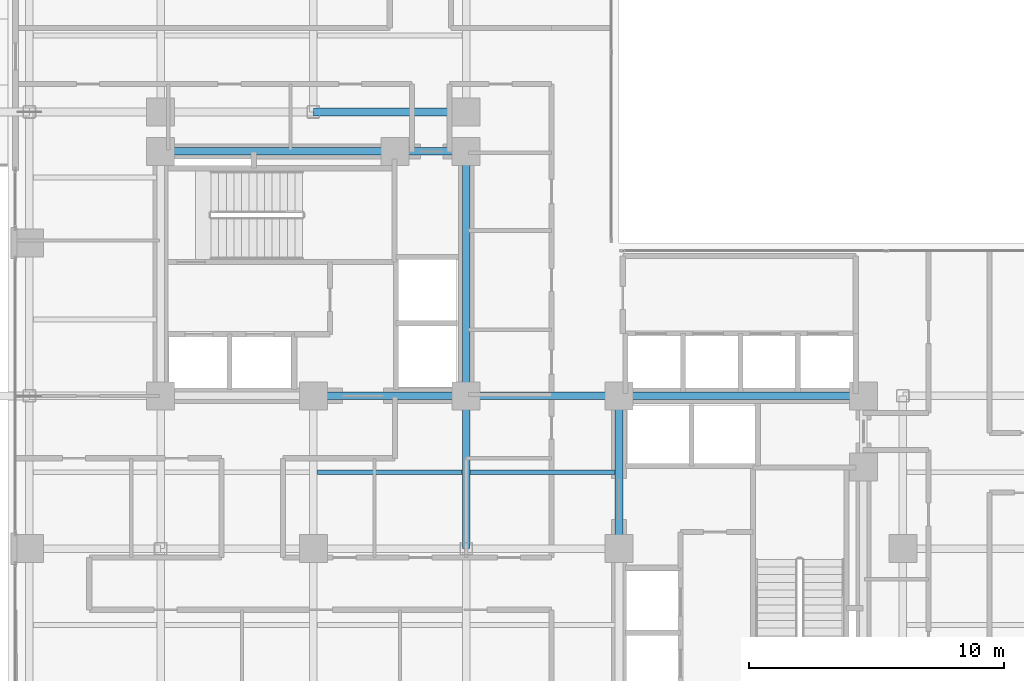
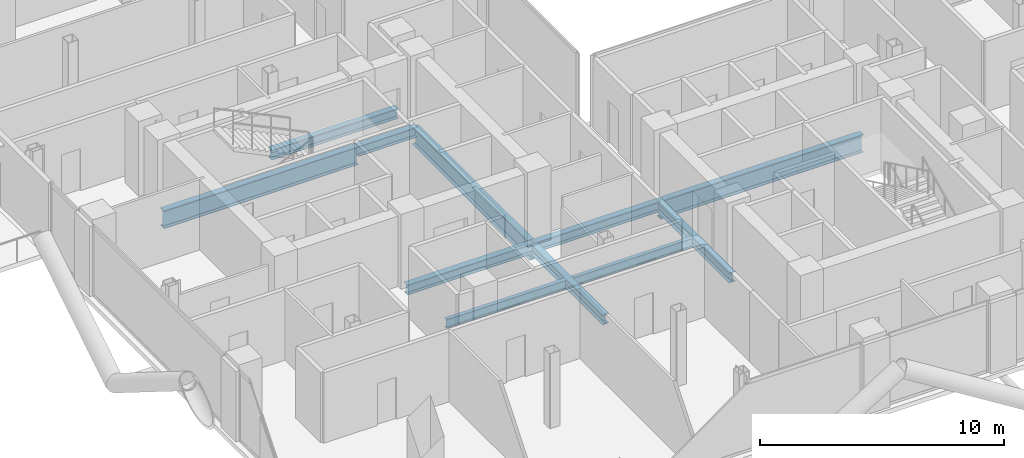
# One storey, part 8 of 28: 11 beams.
"""IFC4 building model written with IfcOpenShell, lengths in metres."""

from ifc_helpers import new_model, si_unit, direction, frame, origin, origin_2d, place, context, subcontext, project, spatial, i_section, extrude, material, material_profile, profile_set, type_object, element, save


model = new_model("IFC4")

# Units and contexts
model_context = context("Model", 3, precision=1e-05, world=origin(), true_north=direction((0.0, 1.0)))
body_context = subcontext(model_context, "Body", "Model", "MODEL_VIEW")
ifc_project = project(units=[si_unit("LENGTHUNIT", "METRE"), si_unit("AREAUNIT", "SQUARE_METRE"), si_unit("VOLUMEUNIT", "CUBIC_METRE"), si_unit("PLANEANGLEUNIT", "RADIAN"), si_unit("MASSUNIT", "GRAM", prefix="KILO"), si_unit("THERMODYNAMICTEMPERATUREUNIT", "KELVIN"), si_unit("POWERUNIT", "WATT")], contexts=[model_context])

# Site, building, storey
site_placement = place(None, origin())
site = spatial("IfcSite", under=ifc_project, at=site_placement, CompositionType="ELEMENT")
building_placement = place(site_placement, origin())
building = spatial("IfcBuilding", under=site, at=building_placement, Name="Svarakhadi Broadcast Tower", CompositionType="ELEMENT")
storey_placement = place(building_placement, frame((0.0, 0.0, 149.39990234375)))
storey = spatial("IfcBuildingStorey", under=building, at=storey_placement, Name="L36", CompositionType="ELEMENT", Elevation=149.39990234375)

# Beams
ifc_material_1 = material(Name="Steel S355J2 (IS 2062 E350C)", Category="steel")
ifc_material_profile_1 = material_profile(ifc_material_1, i_section(OverallWidth=0.18994140625, OverallDepth=0.449951171875, WebThickness=0.009521484375, FlangeThickness=0.0146484375, FilletRadius=0.02099609375, at=origin_2d()), Name="NPB 450x190x78")
ifc_profile_set_1 = profile_set([ifc_material_profile_1], Name="Steel S355J2 (IS 2062 E350C)")
beam_type_1 = type_object("IfcBeamType", Name="Beam_NPB450", PredefinedType="BEAM", material=ifc_profile_set_1)
for number, where, z_axis, x_axis, name in (
    (1, (12.159912109375, 15.0, -0.449951171875), (1.0, 0.0, 0.0), (0.0, 1.0, 0.0), "L36 Secondary Composite Beam SB013"),
    (2, (18.159912109375, 15.0, -0.449951171875), (1.0, 0.0, 0.0), (0.0, 1.0, 0.0), "L36 Secondary Composite Beam SB018"),
):
    element("IfcBeam", number, at=place(storey_placement, frame(where, z_axis=z_axis, x_axis=x_axis)), inside=storey, type_object=beam_type_1, Name=name, PredefinedType="BEAM", context=body_context, shape_type="SweptSolid", body=[
        extrude(i_section(OverallWidth=0.18994140625, OverallDepth=0.449951171875, WebThickness=0.009521484375, FlangeThickness=0.0146484375, FilletRadius=0.02099609375, at=origin_2d()), origin(), (0.0, 0.0, 1.0), 5.68017578125),
    ])
ifc_material_profile_2 = material_profile(ifc_material_1, i_section(OverallWidth=0.300048828125, OverallDepth=0.5, WebThickness=0.014404296875, FlangeThickness=0.028076171875, FilletRadius=0.027099609375, at=origin_2d()), Name="WPB 500x300x187")
ifc_profile_set_2 = profile_set([ifc_material_profile_2], Name="Steel S355J2 (IS 2062 E350C)")
beam_type_2 = type_object("IfcBeamType", Name="Girder_WPB500", PredefinedType="USERDEFINED", material=ifc_profile_set_2)
for number, where, z_axis, x_axis, name in (
    (3, (12.0, 18.0, -0.474853515625), (1.0, 0.0, 0.0), (0.0, 1.0, 0.0), "L36 Primary E-W Girder G025"),
    (4, (18.0, 18.0, -0.474853515625), (1.0, 0.0, 0.0), (0.0, 1.0, 0.0), "L36 Primary E-W Girder G026"),
):
    element("IfcBeam", number, at=place(storey_placement, frame(where, z_axis=z_axis, x_axis=x_axis)), inside=storey, type_object=beam_type_2, Name=name, ObjectType="GIRDER", PredefinedType="USERDEFINED", context=body_context, shape_type="SweptSolid", body=[
        extrude(i_section(OverallWidth=0.300048828125, OverallDepth=0.5, WebThickness=0.014404296875, FlangeThickness=0.028076171875, FilletRadius=0.027099609375, at=origin_2d()), origin(), (0.0, 0.0, 1.0), 6.0),
    ])
beam_1_placement = place(storey_placement, frame((15.199951171875, 27.60009765625, -0.474853515625), z_axis=(1.0, 0.0, 0.0), x_axis=(0.0, 1.0, 0.0)))
element("IfcBeam", 5, at=beam_1_placement, inside=storey, type_object=beam_type_2, Name="L36 Primary E-W Girder G031", ObjectType="GIRDER", PredefinedType="USERDEFINED", context=body_context, shape_type="SweptSolid", body=[
    extrude(i_section(OverallWidth=0.300048828125, OverallDepth=0.5, WebThickness=0.014404296875, FlangeThickness=0.028076171875, FilletRadius=0.027099609375, at=origin_2d()), origin(), (0.0, 0.0, 1.0), 2.800048828125),
])
for number, where, z_axis, x_axis, name in (
    (6, (12.0, 29.14990234375, -0.474853515625), (1.0, 0.0, 0.0), (0.0, 1.0, 0.0), "L36 Primary E-W Girder G034"),
    (7, (18.0, 12.0, -0.474853515625), (0.0, 1.0, 0.0), (-1.0, 0.0, 0.0), "L36 Primary N-S Girder G058"),
    (8, (24.0, 12.0, -0.474853515625), (0.0, 1.0, 0.0), (-1.0, 0.0, 0.0), "L36 Primary N-S Girder G064"),
):
    element("IfcBeam", number, at=place(storey_placement, frame(where, z_axis=z_axis, x_axis=x_axis)), inside=storey, type_object=beam_type_2, Name=name, ObjectType="GIRDER", PredefinedType="USERDEFINED", context=body_context, shape_type="SweptSolid", body=[
        extrude(i_section(OverallWidth=0.300048828125, OverallDepth=0.5, WebThickness=0.014404296875, FlangeThickness=0.028076171875, FilletRadius=0.027099609375, at=origin_2d()), origin(), (0.0, 0.0, 1.0), 6.0),
    ])
ifc_material_2 = material(Name="Steel S460ML (IS 2062 E450BR)", Category="steel")
ifc_material_profile_3 = material_profile(ifc_material_2, i_section(OverallWidth=0.300048828125, OverallDepth=0.89990234375, WebThickness=0.0185546875, FlangeThickness=0.034912109375, FilletRadius=0.030029296875, at=origin_2d()), Name="WPB 900x300x291")
ifc_profile_set_3 = profile_set([ifc_material_profile_3], Name="Steel S460ML (IS 2062 E450BR)")
beam_type_3 = type_object("IfcBeamType", Name="Girder_WPB900", PredefinedType="USERDEFINED", material=ifc_profile_set_3)
beam_2_placement = place(storey_placement, frame((24.0, 18.0, -0.6748046875), z_axis=(1.0, 0.0, 0.0), x_axis=(0.0, 1.0, 0.0)))
element("IfcBeam", 9, at=beam_2_placement, inside=storey, type_object=beam_type_3, Name="L36 Primary E-W Girder G027", ObjectType="GIRDER", PredefinedType="USERDEFINED", context=body_context, shape_type="SweptSolid", body=[
    extrude(i_section(OverallWidth=0.300048828125, OverallDepth=0.89990234375, WebThickness=0.0185546875, FlangeThickness=0.034912109375, FilletRadius=0.030029296875, at=origin_2d()), origin(), (0.0, 0.0, 1.0), 9.60009765625),
])
beam_3_placement = place(storey_placement, frame((6.0, 27.60009765625, -0.6748046875), z_axis=(1.0, 0.0, 0.0), x_axis=(0.0, 1.0, 0.0)))
element("IfcBeam", 10, at=beam_3_placement, inside=storey, type_object=beam_type_3, Name="L36 Primary E-W Girder G030", ObjectType="GIRDER", PredefinedType="USERDEFINED", context=body_context, shape_type="SweptSolid", body=[
    extrude(i_section(OverallWidth=0.300048828125, OverallDepth=0.89990234375, WebThickness=0.0185546875, FlangeThickness=0.034912109375, FilletRadius=0.030029296875, at=origin_2d()), origin(), (0.0, 0.0, 1.0), 9.199951171875),
])
beam_4_placement = place(storey_placement, frame((18.0, 18.0, -0.6748046875), z_axis=(0.0, 1.0, 0.0), x_axis=(-1.0, 0.0, 0.0)))
element("IfcBeam", 11, at=beam_4_placement, inside=storey, type_object=beam_type_3, Name="L36 Primary N-S Girder G059", ObjectType="GIRDER", PredefinedType="USERDEFINED", context=body_context, shape_type="SweptSolid", body=[
    extrude(i_section(OverallWidth=0.300048828125, OverallDepth=0.89990234375, WebThickness=0.0185546875, FlangeThickness=0.034912109375, FilletRadius=0.030029296875, at=origin_2d()), origin(), (0.0, 0.0, 1.0), 9.60009765625),
])

save(model, "model.ifc")
